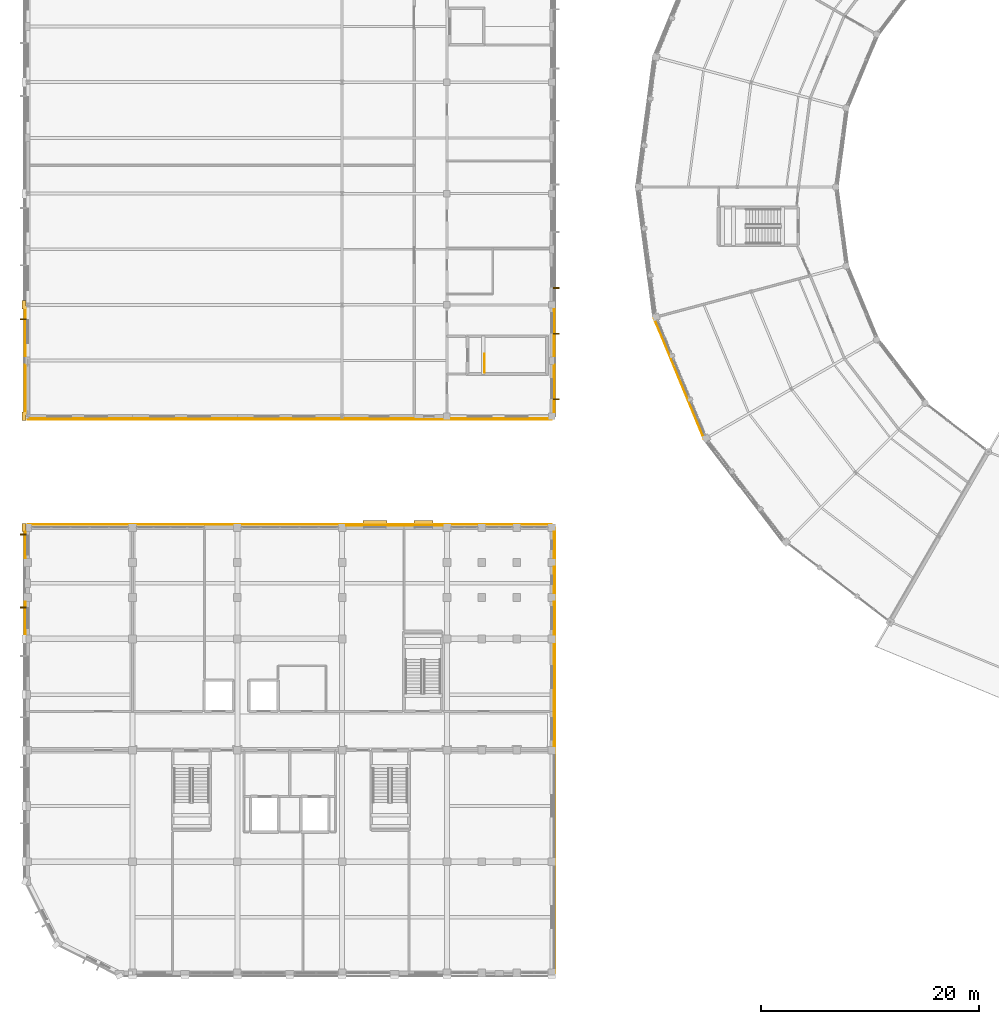
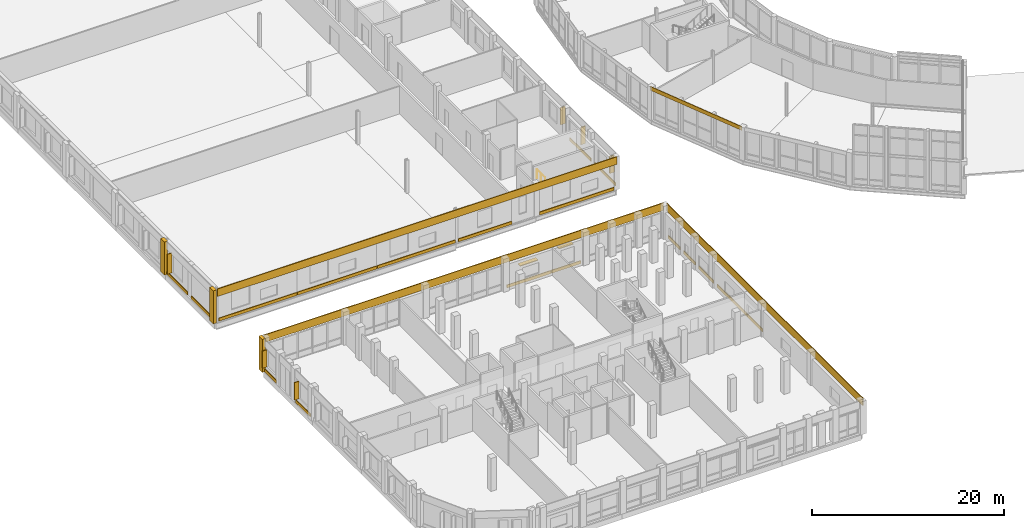
# One storey, part 174 of 185: 25 coverings, 8 shading devices, 1 railing.
"""IFC4 building model written with IfcOpenShell, lengths in metres."""

from ifc_helpers import new_model, si_unit, direction, frame, origin, origin_2d, place, context, subcontext, project, spatial, rectangle, circle, extrude, material, layer, layer_set, type_object, element, save


model = new_model("IFC4")

# Units and contexts
model_context = context("Model", 3, precision=1e-05, world=origin(), true_north=direction((0.0, 1.0)))
body_context = subcontext(model_context, "Body", "Model", "MODEL_VIEW")
ifc_project = project(units=[si_unit("LENGTHUNIT", "METRE"), si_unit("AREAUNIT", "SQUARE_METRE"), si_unit("VOLUMEUNIT", "CUBIC_METRE"), si_unit("PLANEANGLEUNIT", "RADIAN"), si_unit("MASSUNIT", "GRAM", prefix="KILO")], contexts=[model_context])

# Site, building, storey
site_placement = place(None, origin())
site = spatial("IfcSite", under=ifc_project, at=site_placement, CompositionType="ELEMENT")
building_placement = place(site_placement, origin())
building = spatial("IfcBuilding", under=site, at=building_placement, Name="Vondelvale Polytechnic", CompositionType="ELEMENT")
storey_placement = place(building_placement, frame((0.0, 0.0, 9.60009765625)))
storey = spatial("IfcBuildingStorey", under=building, at=storey_placement, Name="L02", CompositionType="ELEMENT", Elevation=9.60009765625)

# Coverings
ifc_material_1 = material(Name="Amsterdam School iron-spot clinker clay brickwork", Category="masonry")
ifc_layer_1 = layer(ifc_material_1, 0.090087890625)
ifc_layer_set_1 = layer_set([ifc_layer_1], Name="COV-BRICK-RELIEF")
covering_type_1 = type_object("IfcCoveringType", Name="COV-BRICK-RELIEF", PredefinedType="CLADDING", material=ifc_layer_set_1)
covering_1_placement = place(storey_placement, frame((24.0, 50.735107421875, 3.239990234375), z_axis=(0.0, 0.0, 1.0), x_axis=(1.0, 0.0, 0.0)))
element("IfcCovering", 1, at=covering_1_placement, inside=storey, type_object=covering_type_1, Name="L02 exterior masonry spandrel band", PredefinedType="CLADDING", context=body_context, shape_type="SweptSolid", body=[
    extrude(rectangle(XDim=48.0, YDim=0.090087890625, at=origin_2d()), origin(), (0.0, 0.0, 1.0), 0.9599609375),
])
for number, where, z_axis, x_axis, name in (
    (2, (-0.216064453125, 53.456787109375, 0.0), (0.0, 0.0, 1.0), (0.0, 1.0, 0.0), "L02 exterior corbelled masonry relief band"),
    (3, (-0.216064453125, 58.743408203125, 0.0), (0.0, 0.0, 1.0), (0.0, 1.0, 0.0), "L02 exterior corbelled masonry relief band"),
):
    element("IfcCovering", number, at=place(storey_placement, frame(where, z_axis=z_axis, x_axis=x_axis)), inside=storey, type_object=covering_type_1, Name=name, PredefinedType="CLADDING", context=body_context, shape_type="SweptSolid", body=[
        extrude(rectangle(XDim=4.5244140625, YDim=0.090087890625, at=origin_2d()), origin(), (0.0, 0.0, 1.0), 0.3798828125),
    ])
for number, where, z_axis, x_axis, name in (
    (4, (48.216064453125, 53.52490234375, 0.0), (0.0, 0.0, 1.0), (0.0, -1.0, 0.0), "L02 exterior corbelled masonry relief band"),
    (5, (48.216064453125, 58.675048828125, 0.0), (0.0, 0.0, 1.0), (0.0, -1.0, 0.0), "L02 exterior corbelled masonry relief band"),
):
    element("IfcCovering", number, at=place(storey_placement, frame(where, z_axis=z_axis, x_axis=x_axis)), inside=storey, type_object=covering_type_1, Name=name, PredefinedType="CLADDING", context=body_context, shape_type="SweptSolid", body=[
        extrude(rectangle(XDim=4.387939453125, YDim=0.090087890625, at=origin_2d()), origin(), (0.0, 0.0, 1.0), 0.3798828125),
    ])
covering_2_placement = place(storey_placement, frame((4.882080078125, 50.783935546875, 0.0), z_axis=(0.0, 0.0, 1.0), x_axis=(-1.0, 0.0, 0.0)))
element("IfcCovering", 6, at=covering_2_placement, inside=storey, type_object=covering_type_1, Name="L02 exterior corbelled masonry relief band", PredefinedType="CLADDING", context=body_context, shape_type="SweptSolid", body=[
    extrude(rectangle(XDim=9.37548828125, YDim=0.090087890625, at=origin_2d()), origin(), (0.0, 0.0, 1.0), 0.3798828125),
])
covering_3_placement = place(storey_placement, frame((14.39990234375, 50.783935546875, 0.0), z_axis=(0.0, 0.0, 1.0), x_axis=(-1.0, 0.0, 0.0)))
element("IfcCovering", 7, at=covering_3_placement, inside=storey, type_object=covering_type_1, Name="L02 exterior corbelled masonry relief band", PredefinedType="CLADDING", context=body_context, shape_type="SweptSolid", body=[
    extrude(rectangle(XDim=9.5400390625, YDim=0.090087890625, at=origin_2d()), origin(), (0.0, 0.0, 1.0), 0.3798828125),
])
covering_4_placement = place(storey_placement, frame((23.917724609375, 50.783935546875, 0.0), z_axis=(0.0, 0.0, 1.0), x_axis=(-1.0, 0.0, 0.0)))
element("IfcCovering", 8, at=covering_4_placement, inside=storey, type_object=covering_type_1, Name="L02 exterior corbelled masonry relief band", PredefinedType="CLADDING", context=body_context, shape_type="SweptSolid", body=[
    extrude(rectangle(XDim=9.37548828125, YDim=0.090087890625, at=origin_2d()), origin(), (0.0, 0.0, 1.0), 0.3798828125),
])
covering_5_placement = place(storey_placement, frame((32.18212890625, 50.783935546875, 0.0), z_axis=(0.0, 0.0, 1.0), x_axis=(-1.0, 0.0, 0.0)))
element("IfcCovering", 9, at=covering_5_placement, inside=storey, type_object=covering_type_1, Name="L02 exterior corbelled masonry relief band", PredefinedType="CLADDING", context=body_context, shape_type="SweptSolid", body=[
    extrude(rectangle(XDim=6.37548828125, YDim=0.090087890625, at=origin_2d()), origin(), (0.0, 0.0, 1.0), 0.3798828125),
])
covering_6_placement = place(storey_placement, frame((43.199951171875, 50.783935546875, 0.0), z_axis=(0.0, 0.0, 1.0), x_axis=(-1.0, 0.0, 0.0)))
element("IfcCovering", 10, at=covering_6_placement, inside=storey, type_object=covering_type_1, Name="L02 exterior corbelled masonry relief band", PredefinedType="CLADDING", context=body_context, shape_type="SweptSolid", body=[
    extrude(rectangle(XDim=8.93798828125, YDim=0.090087890625, at=origin_2d()), origin(), (0.0, 0.0, 1.0), 0.3798828125),
])
covering_7_placement = place(storey_placement, frame((48.264892578125, 20.39990234375, 3.239990234375), z_axis=(0.0, 0.0, 1.0), x_axis=(0.0, 1.0, 0.0)))
element("IfcCovering", 11, at=covering_7_placement, inside=storey, type_object=covering_type_1, Name="L02 exterior masonry spandrel band", PredefinedType="CLADDING", context=body_context, shape_type="SweptSolid", body=[
    extrude(rectangle(XDim=40.800048828125, YDim=0.090087890625, at=origin_2d()), origin(), (0.0, 0.0, 1.0), 0.9599609375),
])
covering_8_placement = place(storey_placement, frame((24.0, 41.06494140625, 3.239990234375), z_axis=(0.0, 0.0, 1.0), x_axis=(1.0, 0.0, 0.0)))
element("IfcCovering", 12, at=covering_8_placement, inside=storey, type_object=covering_type_1, Name="L02 exterior masonry spandrel band", PredefinedType="CLADDING", context=body_context, shape_type="SweptSolid", body=[
    extrude(rectangle(XDim=48.0, YDim=0.090087890625, at=origin_2d()), origin(), (0.0, 0.0, 1.0), 0.9599609375),
])
covering_9_placement = place(storey_placement, frame((-0.216064453125, 32.5, 0.0), z_axis=(0.0, 0.0, 1.0), x_axis=(0.0, 1.0, 0.0)))
element("IfcCovering", 13, at=covering_9_placement, inside=storey, type_object=covering_type_1, Name="L02 exterior corbelled masonry relief band", PredefinedType="CLADDING", context=body_context, shape_type="SweptSolid", body=[
    extrude(rectangle(XDim=3.0380859375, YDim=0.090087890625, at=origin_2d()), origin(), (0.0, 0.0, 1.0), 0.3798828125),
])
covering_10_placement = place(storey_placement, frame((-0.216064453125, 39.199951171875, 0.0), z_axis=(0.0, 0.0, 1.0), x_axis=(0.0, 1.0, 0.0)))
element("IfcCovering", 14, at=covering_10_placement, inside=storey, type_object=covering_type_1, Name="L02 exterior corbelled masonry relief band", PredefinedType="CLADDING", context=body_context, shape_type="SweptSolid", body=[
    extrude(rectangle(XDim=2.43798828125, YDim=0.090087890625, at=origin_2d()), origin(), (0.0, 0.0, 1.0), 0.3798828125),
])
covering_11_placement = place(storey_placement, frame((48.216064453125, 22.3505859375, 0.0), z_axis=(0.0, 0.0, 1.0), x_axis=(0.0, -1.0, 0.0)))
element("IfcCovering", 15, at=covering_11_placement, inside=storey, type_object=covering_type_1, Name="L02 exterior corbelled masonry relief band", PredefinedType="CLADDING", context=body_context, shape_type="SweptSolid", body=[
    extrude(rectangle(XDim=3.138916015625, YDim=0.090087890625, at=origin_2d()), origin(), (0.0, 0.0, 1.0), 0.3798828125),
])
covering_12_placement = place(storey_placement, frame((48.216064453125, 27.099609375, 0.0), z_axis=(0.0, 0.0, 1.0), x_axis=(0.0, -1.0, 0.0)))
element("IfcCovering", 16, at=covering_12_placement, inside=storey, type_object=covering_type_1, Name="L02 exterior corbelled masonry relief band", PredefinedType="CLADDING", context=body_context, shape_type="SweptSolid", body=[
    extrude(rectangle(XDim=6.239013671875, YDim=0.090087890625, at=origin_2d()), origin(), (0.0, 0.0, 1.0), 0.3798828125),
])
for number, where, z_axis, x_axis, name in (
    (17, (48.216064453125, 39.199951171875, 0.0), (0.0, 0.0, 1.0), (0.0, -1.0, 0.0), "L02 exterior corbelled masonry relief band"),
    (18, (48.216064453125, 36.0, 0.0), (0.0, 0.0, 1.0), (0.0, -1.0, 0.0), "L02 exterior corbelled masonry relief band"),
):
    element("IfcCovering", number, at=place(storey_placement, frame(where, z_axis=z_axis, x_axis=x_axis)), inside=storey, type_object=covering_type_1, Name=name, PredefinedType="CLADDING", context=body_context, shape_type="SweptSolid", body=[
        extrude(rectangle(XDim=2.43798828125, YDim=0.090087890625, at=origin_2d()), origin(), (0.0, 0.0, 1.0), 0.3798828125),
    ])
covering_13_placement = place(storey_placement, frame((48.216064453125, 32.5, 0.0), z_axis=(0.0, 0.0, 1.0), x_axis=(0.0, -1.0, 0.0)))
element("IfcCovering", 19, at=covering_13_placement, inside=storey, type_object=covering_type_1, Name="L02 exterior corbelled masonry relief band", PredefinedType="CLADDING", context=body_context, shape_type="SweptSolid", body=[
    extrude(rectangle(XDim=3.0380859375, YDim=0.090087890625, at=origin_2d()), origin(), (0.0, 0.0, 1.0), 0.3798828125),
])
covering_14_placement = place(storey_placement, frame((31.81298828125, 41.01611328125, 0.0), z_axis=(0.0, 0.0, 1.0), x_axis=(1.0, 0.0, 0.0)))
element("IfcCovering", 20, at=covering_14_placement, inside=storey, type_object=covering_type_1, Name="L02 exterior corbelled masonry relief band", PredefinedType="CLADDING", context=body_context, shape_type="SweptSolid", body=[
    extrude(rectangle(XDim=5.263916015625, YDim=0.090087890625, at=origin_2d()), origin(), (0.0, 0.0, 1.0), 0.3798828125),
])
covering_15_placement = place(storey_placement, frame((36.261962890625, 41.01611328125, 0.0), z_axis=(0.0, 0.0, 1.0), x_axis=(1.0, 0.0, 0.0)))
element("IfcCovering", 21, at=covering_15_placement, inside=storey, type_object=covering_type_1, Name="L02 exterior corbelled masonry relief band", PredefinedType="CLADDING", context=body_context, shape_type="SweptSolid", body=[
    extrude(rectangle(XDim=3.513916015625, YDim=0.090087890625, at=origin_2d()), origin(), (0.0, 0.0, 1.0), 0.3798828125),
])
covering_16_placement = place(storey_placement, frame((-0.340087890625, 40.800048828125, 0.0), z_axis=(0.0, 0.0, 1.0), x_axis=(1.0, 0.0, 0.0)))
element("IfcCovering", 22, at=covering_16_placement, inside=storey, type_object=covering_type_1, Name="L02 Classical street pilaster", PredefinedType="CLADDING", context=body_context, shape_type="SweptSolid", body=[
    extrude(rectangle(XDim=0.360107421875, YDim=0.719970703125, at=origin_2d()), origin(), (0.0, 0.0, 1.0), 4.199951171875),
])
for number, where, z_axis, x_axis, name in (
    (23, (-0.340087890625, 51.0, 0.0), (0.0, 0.0, 1.0), (1.0, 0.0, 0.0), "L02 Workshop giant-order brick buttress pier"),
    (24, (-0.340087890625, 61.199951171875, 0.0), (0.0, 0.0, 1.0), (1.0, 0.0, 0.0), "L02 Workshop giant-order brick buttress pier"),
):
    element("IfcCovering", number, at=place(storey_placement, frame(where, z_axis=z_axis, x_axis=x_axis)), inside=storey, type_object=covering_type_1, Name=name, PredefinedType="CLADDING", context=body_context, shape_type="SweptSolid", body=[
        extrude(rectangle(XDim=0.39990234375, YDim=0.780029296875, at=origin_2d()), origin(), (0.0, 0.0, 1.0), 4.199951171875),
    ])
ifc_material_2 = material(Name="Engineered Tasmanian oak studio and bridge joinery")
ifc_layer_2 = layer(ifc_material_2, 0.06494140625)
ifc_layer_set_2 = layer_set([ifc_layer_2], Name="COV-OAK-SPANDREL")
covering_type_2 = type_object("IfcCoveringType", Name="COV-OAK-SPANDREL", PredefinedType="CLADDING", material=ifc_layer_set_2)
covering_17_placement = place(storey_placement, frame((59.67041015625, 54.466552734375, 3.719970703125), z_axis=(0.0, 0.0, 1.0), x_axis=(0.382683432365, -0.923879532511, 0.0)))
element("IfcCovering", 25, at=covering_17_placement, inside=storey, type_object=covering_type_2, Name="L02 exterior masonry spandrel band", PredefinedType="CLADDING", context=body_context, shape_type="SweptSolid", body=[
    extrude(rectangle(XDim=12.00830078125, YDim=0.06494140625, at=origin_2d()), origin(), (0.0, 0.0, 1.0), 0.47998046875),
])

# Railing
ifc_material_3 = material(Name="Brushed architectural stainless and zinc-coated metal")
ifc_layer_3 = layer(ifc_material_3, 0.050048828125)
ifc_layer_set_3 = layer_set([ifc_layer_3], Name="RL-STAIR-GUARD")
railing_type = type_object("IfcRailingType", Name="RL-STAIR-GUARD", PredefinedType="GUARDRAIL", material=ifc_layer_set_3)
railing_placement = place(storey_placement, frame((41.85009765625, 55.0, 0.0)))
element("IfcRailing", 26, at=railing_placement, inside=storey, type_object=railing_type, Name="L02 ST-01 top well guard 1", PredefinedType="GUARDRAIL", context=body_context, shape_type="SweptSolid", body=[
    extrude(circle(Radius=0.02392578125, at=origin_2d()), frame((0.0, 0.0, 1.076171875), z_axis=(0.0, 1.0, 0.0), x_axis=(-1.0, 0.0, 0.0)), (0.0, 0.0, 1.0), 1.699951171875),
    extrude(circle(Radius=0.02099609375, at=origin_2d()), origin(), (0.0, 0.0, 1.0), 1.052001953125),
    extrude(circle(Radius=0.02099609375, at=origin_2d()), frame((0.0, 0.85009765625, 0.0)), (0.0, 0.0, 1.0), 1.052001953125),
    extrude(circle(Radius=0.02099609375, at=origin_2d()), frame((0.0, 1.699951171875, 0.0)), (0.0, 0.0, 1.0), 1.052001953125),
])

# Shading devices
ifc_material_4 = material(Name="Anodised extruded aluminium 6063-T6", Category="aluminium")
shading_device_type_1 = type_object("IfcShadingDeviceType", Name="SHD-BRONZE-LOUVRE", PredefinedType="SHUTTER", material=ifc_material_4)
shading_device_1_placement = place(storey_placement, frame((31.81298828125, 41.199951171875, 2.20751953125), z_axis=(0.0, 0.0, 1.0), x_axis=(1.0, 0.0, 0.0)))
element("IfcShadingDevice", 27, at=shading_device_1_placement, inside=storey, type_object=shading_device_type_1, Name="L02 horizontal bronze sun-louvre overhang", PredefinedType="SHUTTER", context=body_context, shape_type="SweptSolid", body=[
    extrude(rectangle(XDim=2.159912109375, YDim=0.47998046875, at=origin_2d()), origin(), (0.0, 0.0, 1.0), 0.0849609375),
])
shading_device_2_placement = place(storey_placement, frame((36.261962890625, 41.199951171875, 2.75732421875), z_axis=(0.0, 0.0, 1.0), x_axis=(1.0, 0.0, 0.0)))
element("IfcShadingDevice", 28, at=shading_device_2_placement, inside=storey, type_object=shading_device_type_1, Name="L02 horizontal bronze sun-louvre overhang", PredefinedType="SHUTTER", context=body_context, shape_type="SweptSolid", body=[
    extrude(rectangle(XDim=1.760009765625, YDim=0.47998046875, at=origin_2d()), origin(), (0.0, 0.0, 1.0), 0.0849609375),
])
ifc_material_5 = material(Name="Kiln-fired architectural terracotta", Category="masonry")
shading_device_type_2 = type_object("IfcShadingDeviceType", Name="SHD-TERRA-FIN-550", PredefinedType="JALOUSIE", material=ifc_material_5)
shading_device_3_placement = place(storey_placement, frame((-0.43505859375, 59.88330078125, 0.789794921875), z_axis=(0.0, 0.0, 1.0), x_axis=(0.0, 1.0, 0.0)))
element("IfcShadingDevice", 29, at=shading_device_3_placement, inside=storey, type_object=shading_device_type_2, Name="L02 vertical terracotta solar fin", PredefinedType="JALOUSIE", context=body_context, shape_type="SweptSolid", body=[
    extrude(rectangle(XDim=0.110107421875, YDim=0.550048828125, at=origin_2d()), origin(), (0.0, 0.0, 1.0), 2.52001953125),
])
shading_device_4_placement = place(storey_placement, frame((48.43505859375, 52.56005859375, 0.889892578125), z_axis=(0.0, 0.0, 1.0), x_axis=(0.0, -1.0, 0.0)))
element("IfcShadingDevice", 30, at=shading_device_4_placement, inside=storey, type_object=shading_device_type_2, Name="L02 vertical terracotta solar fin", PredefinedType="JALOUSIE", context=body_context, shape_type="SweptSolid", body=[
    extrude(rectangle(XDim=0.110107421875, YDim=0.550048828125, at=origin_2d()), origin(), (0.0, 0.0, 1.0), 2.169921875),
])
shading_device_5_placement = place(storey_placement, frame((48.43505859375, 58.554931640625, 0.89013671875), z_axis=(0.0, 0.0, 1.0), x_axis=(0.0, -1.0, 0.0)))
element("IfcShadingDevice", 31, at=shading_device_5_placement, inside=storey, type_object=shading_device_type_2, Name="L02 vertical terracotta solar fin", PredefinedType="JALOUSIE", context=body_context, shape_type="SweptSolid", body=[
    extrude(rectangle(XDim=0.110107421875, YDim=0.550048828125, at=origin_2d()), origin(), (0.0, 0.0, 1.0), 2.219970703125),
])
shading_device_6_placement = place(storey_placement, frame((48.43505859375, 62.760009765625, 0.889892578125), z_axis=(0.0, 0.0, 1.0), x_axis=(0.0, -1.0, 0.0)))
element("IfcShadingDevice", 32, at=shading_device_6_placement, inside=storey, type_object=shading_device_type_2, Name="L02 vertical terracotta solar fin", PredefinedType="JALOUSIE", context=body_context, shape_type="SweptSolid", body=[
    extrude(rectangle(XDim=0.110107421875, YDim=0.550048828125, at=origin_2d()), origin(), (0.0, 0.0, 1.0), 2.169921875),
])
shading_device_7_placement = place(storey_placement, frame((-0.43505859375, 33.489990234375, 0.7900390625), z_axis=(0.0, 0.0, 1.0), x_axis=(0.0, 1.0, 0.0)))
element("IfcShadingDevice", 33, at=shading_device_7_placement, inside=storey, type_object=shading_device_type_2, Name="L02 vertical terracotta solar fin", PredefinedType="JALOUSIE", context=body_context, shape_type="SweptSolid", body=[
    extrude(rectangle(XDim=0.110107421875, YDim=0.550048828125, at=origin_2d()), origin(), (0.0, 0.0, 1.0), 2.219970703125),
])
shading_device_8_placement = place(storey_placement, frame((-0.43505859375, 40.1650390625, 0.7900390625), z_axis=(0.0, 0.0, 1.0), x_axis=(0.0, 1.0, 0.0)))
element("IfcShadingDevice", 34, at=shading_device_8_placement, inside=storey, type_object=shading_device_type_2, Name="L02 vertical terracotta solar fin", PredefinedType="JALOUSIE", context=body_context, shape_type="SweptSolid", body=[
    extrude(rectangle(XDim=0.110107421875, YDim=0.550048828125, at=origin_2d()), origin(), (0.0, 0.0, 1.0), 2.169921875),
])

save(model, "model.ifc")
